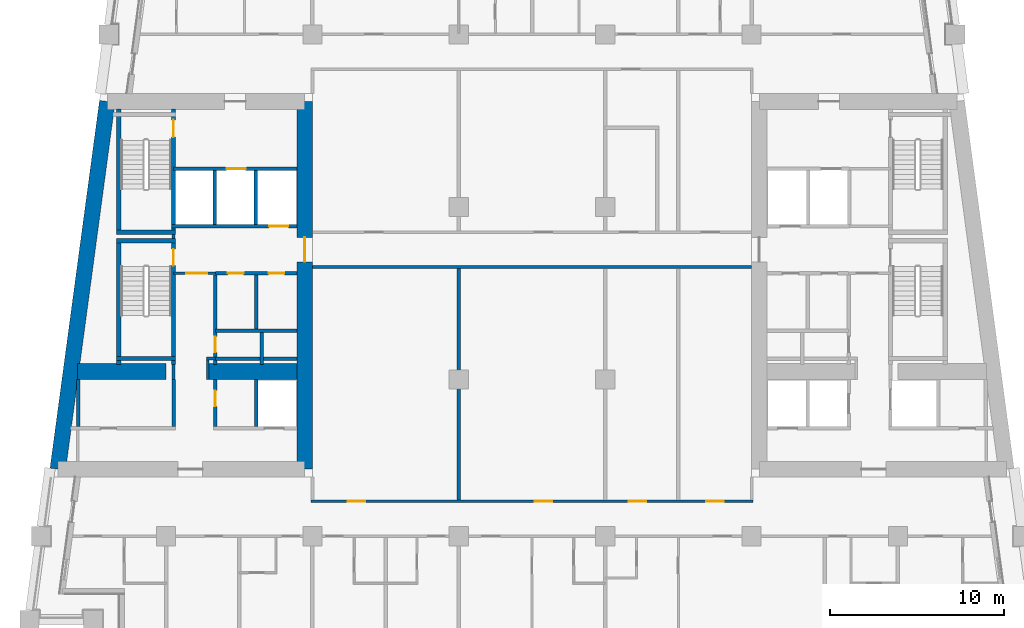
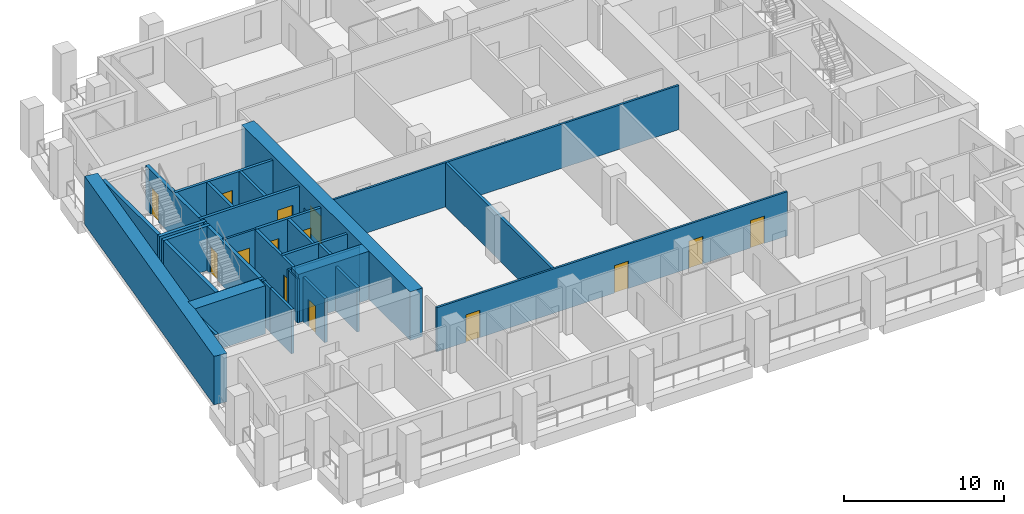
# One storey, part 4 of 13: 33 walls, 14 doors, 14 openings.
"""IFC4 building model written with IfcOpenShell, lengths in metres."""

from ifc_helpers import new_model, si_unit, direction, frame, frame_2d, origin, place, context, subcontext, project, spatial, rectangle, extrude, material, layer, layer_set, type_object, element, fill, save


model = new_model("IFC4")

# Units and contexts
model_context = context("Model", 3, precision=1e-05, world=origin(), true_north=direction((0.0, 1.0)))
body_context = subcontext(model_context, "Body", "Model", "MODEL_VIEW")
ifc_project = project(units=[si_unit("LENGTHUNIT", "METRE"), si_unit("AREAUNIT", "SQUARE_METRE"), si_unit("VOLUMEUNIT", "CUBIC_METRE"), si_unit("PLANEANGLEUNIT", "RADIAN"), si_unit("MASSUNIT", "GRAM", prefix="KILO")], contexts=[model_context])

# Site, building, storey
site_placement = place(None, origin())
site = spatial("IfcSite", under=ifc_project, at=site_placement, CompositionType="ELEMENT")
building_placement = place(site_placement, origin())
building = spatial("IfcBuilding", under=site, at=building_placement, Name="Candeia Pilgrim Tower and Theatre", CompositionType="ELEMENT")
storey_placement = place(building_placement, frame((0.0, 0.0, 155.199951171875)))
storey = spatial("IfcBuildingStorey", under=building, at=storey_placement, Name="L36", CompositionType="ELEMENT", Elevation=155.199951171875)

# Wall, opening, door
ifc_material_1 = material(Name="Concrete C60/75", Category="concrete")
ifc_layer_1 = layer(ifc_material_1, 0.89990234375)
ifc_layer_set_1 = layer_set([ifc_layer_1], Name="Core wall 900 C60/75")
wall_type_1 = type_object("IfcWallType", Name="Core wall 900 C60/75", PredefinedType="SHEAR", material=ifc_layer_set_1)
wall_1_placement = place(storey_placement, frame((100.35009765625, 131.949951171875, 0.0), z_axis=(0.0, 0.0, 1.0), x_axis=(0.0, -1.0, 0.0)))
wall_1 = element("IfcWall", 1, at=wall_1_placement, inside=storey, type_object=wall_type_1, Name="Core wall W2", PredefinedType="SHEAR", context=body_context, shape_type="SweptSolid", body=[
    extrude(rectangle(XDim=21.099853515625, YDim=0.89990234375, at=frame_2d((10.5498046875, 0.0))), origin(), (0.0, 0.0, 1.0), 3.699951171875),
])
opening_1_placement = place(wall_1_placement, frame((7.800048828125, 0.0, 0.0)))
opening_1 = element("IfcOpeningElement", 2, at=opening_1_placement, cuts=wall_1, Name="Opening L36-D057", PredefinedType="OPENING", context=body_context, shape_type="SweptSolid", body=[
    extrude(rectangle(XDim=1.39990234375, YDim=2.10009765625, at=frame_2d((0.699951171875, 1.050048828125))), frame((0.0, 0.4599609375, 0.0), z_axis=(0.0, -1.0, 0.0), x_axis=(1.0, 0.0, 0.0)), (0.0, 0.0, 1.0), 0.919921875),
])
ifc_material_2 = material(Name="Steel fire door set", Category="steel")
door_type_1 = type_object("IfcDoorType", Name="D-1400-FD60", OperationType="NOTDEFINED", PredefinedType="DOOR", material=ifc_material_2)
door_1_placement = place(opening_1_placement, origin())
door_1 = element("IfcDoor", 3, at=door_1_placement, inside=storey, type_object=door_type_1, Name="Door L36-D057", OperationType="SINGLE_SWING_LEFT", OverallHeight=2.10009765625, OverallWidth=1.39990234375, PredefinedType="DOOR", context=body_context, shape_type="SweptSolid", body=[
    extrude(rectangle(XDim=1.39990234375, YDim=2.10009765625, at=frame_2d((0.699951171875, 1.050048828125))), frame((0.0, 0.02490234375, 0.0), z_axis=(0.0, -1.0, 0.0), x_axis=(1.0, 0.0, 0.0)), (0.0, 0.0, 1.0), 0.050048828125),
])
fill(opening_1, door_1)

# Walls
wall_2_placement = place(storey_placement, frame((86.183837890625, 110.85009765625, 0.0), z_axis=(0.0, 0.0, 1.0), x_axis=(0.133410495943, 0.991060865725, 0.0)))
element("IfcWall", 4, at=wall_2_placement, inside=storey, type_object=wall_type_1, Name="Core wall W4", PredefinedType="SHEAR", context=body_context, shape_type="SweptSolid", body=[
    extrude(rectangle(XDim=21.290283203125, YDim=0.89990234375, at=frame_2d((10.64501953125, 0.0))), origin(), (0.0, 0.0, 1.0), 3.699951171875),
])
wall_3_placement = place(storey_placement, frame((87.322998046875, 116.449951171875, 0.0), z_axis=(0.0, 0.0, 1.0), x_axis=(1.0, 0.0, 0.0)))
element("IfcWall", 5, at=wall_3_placement, inside=storey, type_object=wall_type_1, Name="Core wall W5", PredefinedType="SHEAR", context=body_context, shape_type="SweptSolid", body=[
    extrude(rectangle(XDim=5.076904296875, YDim=0.89990234375, at=frame_2d((2.53857421875, 0.0))), origin(), (0.0, 0.0, 1.0), 3.699951171875),
])
wall_4_placement = place(storey_placement, frame((94.800048828125, 116.449951171875, 0.0), z_axis=(0.0, 0.0, 1.0), x_axis=(1.0, 0.0, 0.0)))
element("IfcWall", 6, at=wall_4_placement, inside=storey, type_object=wall_type_1, Name="Core wall W6", PredefinedType="SHEAR", context=body_context, shape_type="SweptSolid", body=[
    extrude(rectangle(XDim=5.099853515625, YDim=0.89990234375, at=frame_2d((2.5498046875, 0.0))), origin(), (0.0, 0.0, 1.0), 3.699951171875),
])
ifc_material_3 = material(Name="Gypsum board partition on steel studs", Category="steel")
ifc_layer_2 = layer(ifc_material_3, 0.14990234375)
ifc_layer_set_2 = layer_set([ifc_layer_2], Name="PW-150 lobby wall")
wall_type_2 = type_object("IfcWallType", Name="PW-150 lobby wall", PredefinedType="PARTITIONING", material=ifc_layer_set_2)
wall_5_placement = place(storey_placement, frame((94.72509765625, 117.199951171875, 0.0), z_axis=(0.0, 0.0, 1.0), x_axis=(1.0, 0.0, 0.0)))
element("IfcWall", 7, at=wall_5_placement, inside=storey, type_object=wall_type_2, Name="Lobby wall L36-016", PredefinedType="PARTITIONING", context=body_context, shape_type="SweptSolid", body=[
    extrude(rectangle(XDim=0.501953125, YDim=0.14990234375, at=frame_2d((0.2509765625, 0.0))), origin(), (0.0, 0.0, 1.0), 3.380126953125),
])

# Wall, opening, door
wall_6_placement = place(storey_placement, frame((92.826904296875, 122.10009765625, 0.0), z_axis=(0.0, 0.0, 1.0), x_axis=(1.0, 0.0, 0.0)))
wall_6 = element("IfcWall", 8, at=wall_6_placement, inside=storey, type_object=wall_type_2, Name="Lobby wall L36-024", PredefinedType="PARTITIONING", context=body_context, shape_type="SweptSolid", body=[
    extrude(rectangle(XDim=2.400146484375, YDim=0.14990234375, at=frame_2d((1.2001953125, 0.0))), origin(), (0.0, 0.0, 1.0), 3.380126953125),
])
opening_2_placement = place(wall_6_placement, frame((0.72509765625, 0.0, 0.0)))
opening_2 = element("IfcOpeningElement", 9, at=opening_2_placement, cuts=wall_6, Name="Opening L36-D001", PredefinedType="OPENING", context=body_context, shape_type="SweptSolid", body=[
    extrude(rectangle(XDim=1.199951171875, YDim=2.10009765625, at=frame_2d((0.60009765625, 1.050048828125))), frame((0.0, 0.0849609375, 0.0), z_axis=(0.0, -1.0, 0.0), x_axis=(1.0, 0.0, 0.0)), (0.0, 0.0, 1.0), 0.169921875),
])
door_type_2 = type_object("IfcDoorType", Name="D-1200-FD60", OperationType="NOTDEFINED", PredefinedType="DOOR", material=ifc_material_2)
door_2_placement = place(opening_2_placement, origin())
door_2 = element("IfcDoor", 10, at=door_2_placement, inside=storey, type_object=door_type_2, Name="Door L36-D001", OperationType="SINGLE_SWING_LEFT", OverallHeight=2.10009765625, OverallWidth=1.199951171875, PredefinedType="DOOR", context=body_context, shape_type="SweptSolid", body=[
    extrude(rectangle(XDim=1.199951171875, YDim=2.10009765625, at=frame_2d((0.60009765625, 1.050048828125))), frame((0.0, 0.02490234375, 0.0), z_axis=(0.0, -1.0, 0.0), x_axis=(1.0, 0.0, 0.0)), (0.0, 0.0, 1.0), 0.050048828125),
])
fill(opening_2, door_2)

# Walls
wall_7_placement = place(storey_placement, frame((92.826904296875, 116.0, 0.0), z_axis=(0.0, 0.0, 1.0), x_axis=(0.0, 1.0, 0.0)))
element("IfcWall", 11, at=wall_7_placement, inside=storey, type_object=wall_type_2, Name="Lobby wall L36-054", PredefinedType="PARTITIONING", context=body_context, shape_type="SweptSolid", body=[
    extrude(rectangle(XDim=0.8701171875, YDim=0.14990234375, at=frame_2d((0.43505859375, 0.0))), origin(), (0.0, 0.0, 1.0), 3.380126953125),
])
wall_8_placement = place(storey_placement, frame((92.826904296875, 124.074951171875, 0.0), z_axis=(0.0, 0.0, 1.0), x_axis=(0.0, 1.0, 0.0)))
element("IfcWall", 12, at=wall_8_placement, inside=storey, type_object=wall_type_2, Name="Lobby wall L36-055", PredefinedType="PARTITIONING", context=body_context, shape_type="SweptSolid", body=[
    extrude(rectangle(XDim=0.25, YDim=0.14990234375, at=frame_2d((0.125, 0.0))), origin(), (0.0, 0.0, 1.0), 3.380126953125),
])
wall_9_placement = place(storey_placement, frame((94.800048828125, 116.0, 0.0), z_axis=(0.0, 0.0, 1.0), x_axis=(0.0, 1.0, 0.0)))
element("IfcWall", 13, at=wall_9_placement, inside=storey, type_object=wall_type_2, Name="Lobby wall L36-059", PredefinedType="PARTITIONING", context=body_context, shape_type="SweptSolid", body=[
    extrude(rectangle(XDim=1.125, YDim=0.14990234375, at=frame_2d((0.5625, 0.0))), origin(), (0.0, 0.0, 1.0), 3.380126953125),
])

# Wall, openings, doors
ifc_layer_3 = layer(ifc_material_3, 0.14990234375)
ifc_layer_set_3 = layer_set([ifc_layer_3], Name="PW-150 unit wall")
wall_type_3 = type_object("IfcWallType", Name="PW-150 unit wall", PredefinedType="PARTITIONING", material=ifc_layer_set_3)
wall_10_placement = place(storey_placement, frame((100.72509765625, 109.0, 0.0), z_axis=(0.0, 0.0, 1.0), x_axis=(1.0, 0.0, 0.0)))
wall_10 = element("IfcWall", 14, at=wall_10_placement, inside=storey, type_object=wall_type_3, Name="Unit wall L36-009", PredefinedType="PARTITIONING", context=body_context, shape_type="SweptSolid", body=[
    extrude(rectangle(XDim=25.349853515625, YDim=0.14990234375, at=frame_2d((12.6748046875, 0.0))), origin(), (0.0, 0.0, 1.0), 3.380126953125),
])
opening_3_placement = place(wall_10_placement, frame((2.10009765625, 0.0, 0.0)))
opening_3 = element("IfcOpeningElement", 15, at=opening_3_placement, cuts=wall_10, Name="Opening L36-D047", PredefinedType="OPENING", context=body_context, shape_type="SweptSolid", body=[
    extrude(rectangle(XDim=1.0, YDim=2.10009765625, at=frame_2d((0.5, 1.050048828125))), frame((0.0, 0.0849609375, 0.0), z_axis=(0.0, -1.0, 0.0), x_axis=(1.0, 0.0, 0.0)), (0.0, 0.0, 1.0), 0.169921875),
])
opening_4_placement = place(wall_10_placement, frame((12.844970703125, 0.0, 0.0)))
opening_4 = element("IfcOpeningElement", 16, at=opening_4_placement, cuts=wall_10, Name="Opening L36-D048", PredefinedType="OPENING", context=body_context, shape_type="SweptSolid", body=[
    extrude(rectangle(XDim=1.0, YDim=2.10009765625, at=frame_2d((0.5, 1.050048828125))), frame((0.0, 0.0849609375, 0.0), z_axis=(0.0, -1.0, 0.0), x_axis=(1.0, 0.0, 0.0)), (0.0, 0.0, 1.0), 0.169921875),
])
opening_5_placement = place(wall_10_placement, frame((18.22509765625, 0.0, 0.0)))
opening_5 = element("IfcOpeningElement", 17, at=opening_5_placement, cuts=wall_10, Name="Opening L36-D049", PredefinedType="OPENING", context=body_context, shape_type="SweptSolid", body=[
    extrude(rectangle(XDim=1.0, YDim=2.10009765625, at=frame_2d((0.5, 1.050048828125))), frame((0.0, 0.0849609375, 0.0), z_axis=(0.0, -1.0, 0.0), x_axis=(1.0, 0.0, 0.0)), (0.0, 0.0, 1.0), 0.169921875),
])
opening_6_placement = place(wall_10_placement, frame((22.675048828125, 0.0, 0.0)))
opening_6 = element("IfcOpeningElement", 18, at=opening_6_placement, cuts=wall_10, Name="Opening L36-D050", PredefinedType="OPENING", context=body_context, shape_type="SweptSolid", body=[
    extrude(rectangle(XDim=1.0, YDim=2.10009765625, at=frame_2d((0.5, 1.050048828125))), frame((0.0, 0.0849609375, 0.0), z_axis=(0.0, -1.0, 0.0), x_axis=(1.0, 0.0, 0.0)), (0.0, 0.0, 1.0), 0.169921875),
])
door_type_3 = type_object("IfcDoorType", Name="D-1000-FD30S", OperationType="NOTDEFINED", PredefinedType="DOOR", material=ifc_material_2)
door_3_placement = place(opening_3_placement, origin())
door_3 = element("IfcDoor", 19, at=door_3_placement, inside=storey, type_object=door_type_3, Name="Door L36-D047", OperationType="SINGLE_SWING_LEFT", OverallHeight=2.10009765625, OverallWidth=1.0, PredefinedType="DOOR", context=body_context, shape_type="SweptSolid", body=[
    extrude(rectangle(XDim=1.0, YDim=2.10009765625, at=frame_2d((0.5, 1.050048828125))), frame((0.0, 0.02490234375, 0.0), z_axis=(0.0, -1.0, 0.0), x_axis=(1.0, 0.0, 0.0)), (0.0, 0.0, 1.0), 0.050048828125),
])
fill(opening_3, door_3)
door_4_placement = place(opening_4_placement, origin())
door_4 = element("IfcDoor", 20, at=door_4_placement, inside=storey, type_object=door_type_3, Name="Door L36-D048", OperationType="SINGLE_SWING_RIGHT", OverallHeight=2.10009765625, OverallWidth=1.0, PredefinedType="DOOR", context=body_context, shape_type="SweptSolid", body=[
    extrude(rectangle(XDim=1.0, YDim=2.10009765625, at=frame_2d((0.5, 1.050048828125))), frame((0.0, 0.02490234375, 0.0), z_axis=(0.0, -1.0, 0.0), x_axis=(1.0, 0.0, 0.0)), (0.0, 0.0, 1.0), 0.050048828125),
])
fill(opening_4, door_4)
door_5_placement = place(opening_5_placement, origin())
door_5 = element("IfcDoor", 21, at=door_5_placement, inside=storey, type_object=door_type_3, Name="Door L36-D049", OperationType="SINGLE_SWING_LEFT", OverallHeight=2.10009765625, OverallWidth=1.0, PredefinedType="DOOR", context=body_context, shape_type="SweptSolid", body=[
    extrude(rectangle(XDim=1.0, YDim=2.10009765625, at=frame_2d((0.5, 1.050048828125))), frame((0.0, 0.02490234375, 0.0), z_axis=(0.0, -1.0, 0.0), x_axis=(1.0, 0.0, 0.0)), (0.0, 0.0, 1.0), 0.050048828125),
])
fill(opening_5, door_5)
door_6_placement = place(opening_6_placement, origin())
door_6 = element("IfcDoor", 22, at=door_6_placement, inside=storey, type_object=door_type_3, Name="Door L36-D050", OperationType="SINGLE_SWING_RIGHT", OverallHeight=2.10009765625, OverallWidth=1.0, PredefinedType="DOOR", context=body_context, shape_type="SweptSolid", body=[
    extrude(rectangle(XDim=1.0, YDim=2.10009765625, at=frame_2d((0.5, 1.050048828125))), frame((0.0, 0.02490234375, 0.0), z_axis=(0.0, -1.0, 0.0), x_axis=(1.0, 0.0, 0.0)), (0.0, 0.0, 1.0), 0.050048828125),
])
fill(opening_6, door_6)

# Walls
wall_11_placement = place(storey_placement, frame((100.800048828125, 122.449951171875, 0.0), z_axis=(0.0, 0.0, 1.0), x_axis=(1.0, 0.0, 0.0)))
element("IfcWall", 23, at=wall_11_placement, inside=storey, type_object=wall_type_3, Name="Unit wall L36-026", PredefinedType="PARTITIONING", context=body_context, shape_type="SweptSolid", body=[
    extrude(rectangle(XDim=25.199951171875, YDim=0.14990234375, at=frame_2d((12.60009765625, 0.0))), origin(), (0.0, 0.0, 1.0), 3.380126953125),
])
ifc_layer_4 = layer(ifc_material_3, 0.199951171875)
ifc_layer_set_4 = layer_set([ifc_layer_4], Name="PW-200 party wall")
wall_type_4 = type_object("IfcWallType", Name="PW-200 party wall", PredefinedType="PARTITIONING", material=ifc_layer_set_4)
wall_12_placement = place(storey_placement, frame((109.199951171875, 109.074951171875, 0.0), z_axis=(0.0, 0.0, 1.0), x_axis=(0.0, 1.0, 0.0)))
element("IfcWall", 24, at=wall_12_placement, inside=storey, type_object=wall_type_4, Name="Party wall L36-079", PredefinedType="PARTITIONING", context=body_context, shape_type="SweptSolid", body=[
    extrude(rectangle(XDim=13.300048828125, YDim=0.199951171875, at=frame_2d((6.64990234375, 0.0))), origin(), (0.0, 0.0, 1.0), 3.380126953125),
])
ifc_material_4 = material(Name="Concrete C40/50", Category="concrete")
ifc_layer_5 = layer(ifc_material_4, 0.199951171875)
ifc_layer_set_5 = layer_set([ifc_layer_5], Name="SW-200 shaft wall")
wall_type_5 = type_object("IfcWallType", Name="SW-200 shaft wall", PredefinedType="PARTITIONING", material=ifc_layer_set_5)
for number, where, z_axis, x_axis, name in (
    (25, (95.22705078125, 117.199951171875, 0.0), (0.0, 0.0, 1.0), (1.0, 0.0, 0.0), "Shaft wall L36-014"),
    (26, (95.22705078125, 118.800048828125, 0.0), (0.0, 0.0, 1.0), (1.0, 0.0, 0.0), "Shaft wall L36-020"),
):
    element("IfcWall", number, at=place(storey_placement, frame(where, z_axis=z_axis, x_axis=x_axis)), inside=storey, type_object=wall_type_5, Name=name, PredefinedType="PARTITIONING", context=body_context, shape_type="SweptSolid", body=[
        extrude(rectangle(XDim=4.6728515625, YDim=0.199951171875, at=frame_2d((2.33642578125, 0.0))), origin(), (0.0, 0.0, 1.0), 3.380126953125),
    ])

# Wall, openings, doors
wall_13_placement = place(storey_placement, frame((95.22705078125, 122.10009765625, 0.0), z_axis=(0.0, 0.0, 1.0), x_axis=(1.0, 0.0, 0.0)))
wall_13 = element("IfcWall", 27, at=wall_13_placement, inside=storey, type_object=wall_type_5, Name="Shaft wall L36-022", PredefinedType="PARTITIONING", context=body_context, shape_type="SweptSolid", body=[
    extrude(rectangle(XDim=4.6728515625, YDim=0.199951171875, at=frame_2d((2.33642578125, 0.0))), origin(), (0.0, 0.0, 1.0), 3.380126953125),
])
opening_7_placement = place(wall_13_placement, frame((0.718017578125, 0.0, 0.0)))
opening_7 = element("IfcOpeningElement", 28, at=opening_7_placement, cuts=wall_13, Name="Opening L36-D002", PredefinedType="OPENING", context=body_context, shape_type="SweptSolid", body=[
    extrude(rectangle(XDim=0.89990234375, YDim=2.10009765625, at=frame_2d((0.449951171875, 1.050048828125))), frame((0.0, 0.10986328125, 0.0), z_axis=(0.0, -1.0, 0.0), x_axis=(1.0, 0.0, 0.0)), (0.0, 0.0, 1.0), 0.219970703125),
])
opening_8_placement = place(wall_13_placement, frame((3.054931640625, 0.0, 0.0)))
opening_8 = element("IfcOpeningElement", 29, at=opening_8_placement, cuts=wall_13, Name="Opening L36-D003", PredefinedType="OPENING", context=body_context, shape_type="SweptSolid", body=[
    extrude(rectangle(XDim=0.89990234375, YDim=2.10009765625, at=frame_2d((0.449951171875, 1.050048828125))), frame((0.0, 0.10986328125, 0.0), z_axis=(0.0, -1.0, 0.0), x_axis=(1.0, 0.0, 0.0)), (0.0, 0.0, 1.0), 0.219970703125),
])
door_type_4 = type_object("IfcDoorType", Name="D-900-FD60", OperationType="NOTDEFINED", PredefinedType="DOOR", material=ifc_material_2)
door_7_placement = place(opening_7_placement, origin())
door_7 = element("IfcDoor", 30, at=door_7_placement, inside=storey, type_object=door_type_4, Name="Door L36-D002", OperationType="SINGLE_SWING_RIGHT", OverallHeight=2.10009765625, OverallWidth=0.89990234375, PredefinedType="DOOR", context=body_context, shape_type="SweptSolid", body=[
    extrude(rectangle(XDim=0.89990234375, YDim=2.10009765625, at=frame_2d((0.449951171875, 1.050048828125))), frame((0.0, 0.02490234375, 0.0), z_axis=(0.0, -1.0, 0.0), x_axis=(1.0, 0.0, 0.0)), (0.0, 0.0, 1.0), 0.050048828125),
])
fill(opening_7, door_7)
door_8_placement = place(opening_8_placement, origin())
door_8 = element("IfcDoor", 31, at=door_8_placement, inside=storey, type_object=door_type_4, Name="Door L36-D003", OperationType="SINGLE_SWING_LEFT", OverallHeight=2.10009765625, OverallWidth=0.89990234375, PredefinedType="DOOR", context=body_context, shape_type="SweptSolid", body=[
    extrude(rectangle(XDim=0.89990234375, YDim=2.10009765625, at=frame_2d((0.449951171875, 1.050048828125))), frame((0.0, 0.02490234375, 0.0), z_axis=(0.0, -1.0, 0.0), x_axis=(1.0, 0.0, 0.0)), (0.0, 0.0, 1.0), 0.050048828125),
])
fill(opening_8, door_8)

# Wall, opening, door
wall_14_placement = place(storey_placement, frame((92.701904296875, 124.800048828125, 0.0), z_axis=(0.0, 0.0, 1.0), x_axis=(1.0, 0.0, 0.0)))
wall_14 = element("IfcWall", 32, at=wall_14_placement, inside=storey, type_object=wall_type_5, Name="Shaft wall L36-032", PredefinedType="PARTITIONING", context=body_context, shape_type="SweptSolid", body=[
    extrude(rectangle(XDim=7.197998046875, YDim=0.199951171875, at=frame_2d((3.59912109375, 0.0))), origin(), (0.0, 0.0, 1.0), 3.380126953125),
])
opening_9_placement = place(wall_14_placement, frame((5.60888671875, 0.0, 0.0)))
opening_9 = element("IfcOpeningElement", 33, at=opening_9_placement, cuts=wall_14, Name="Opening L36-LD02", PredefinedType="OPENING", context=body_context, shape_type="SweptSolid", body=[
    extrude(rectangle(XDim=1.10009765625, YDim=2.10009765625, at=frame_2d((0.550048828125, 1.050048828125))), frame((0.0, 0.10986328125, 0.0), z_axis=(0.0, -1.0, 0.0), x_axis=(1.0, 0.0, 0.0)), (0.0, 0.0, 1.0), 0.219970703125),
])
ifc_material_5 = material(Name="Glazed aluminium landing door", Category="aluminium")
door_type_5 = type_object("IfcDoorType", Name="LD-1100-EI120", OperationType="SLIDING_TO_LEFT", PredefinedType="DOOR", material=ifc_material_5)
door_9_placement = place(opening_9_placement, origin())
door_9 = element("IfcDoor", 34, at=door_9_placement, inside=storey, type_object=door_type_5, Name="Landing door 02 L36", OperationType="SLIDING_TO_LEFT", OverallHeight=2.10009765625, OverallWidth=1.10009765625, PredefinedType="DOOR", context=body_context, shape_type="SweptSolid", body=[
    extrude(rectangle(XDim=1.10009765625, YDim=2.10009765625, at=frame_2d((0.550048828125, 1.050048828125))), frame((0.0, 0.02490234375, 0.0), z_axis=(0.0, -1.0, 0.0), x_axis=(1.0, 0.0, 0.0)), (0.0, 0.0, 1.0), 0.050048828125),
])
fill(opening_9, door_9)

wall_15_placement = place(storey_placement, frame((92.826904296875, 128.10009765625, 0.0), z_axis=(0.0, 0.0, 1.0), x_axis=(1.0, 0.0, 0.0)))
wall_15 = element("IfcWall", 35, at=wall_15_placement, inside=storey, type_object=wall_type_5, Name="Shaft wall L36-035", PredefinedType="PARTITIONING", context=body_context, shape_type="SweptSolid", body=[
    extrude(rectangle(XDim=7.072998046875, YDim=0.199951171875, at=frame_2d((3.53662109375, 0.0))), origin(), (0.0, 0.0, 1.0), 3.380126953125),
])
opening_10_placement = place(wall_15_placement, frame((3.0419921875, 0.0, 0.0)))
opening_10 = element("IfcOpeningElement", 36, at=opening_10_placement, cuts=wall_15, Name="Opening L36-LD01", PredefinedType="OPENING", context=body_context, shape_type="SweptSolid", body=[
    extrude(rectangle(XDim=1.10009765625, YDim=2.10009765625, at=frame_2d((0.550048828125, 1.050048828125))), frame((0.0, 0.10986328125, 0.0), z_axis=(0.0, -1.0, 0.0), x_axis=(1.0, 0.0, 0.0)), (0.0, 0.0, 1.0), 0.219970703125),
])
door_10_placement = place(opening_10_placement, origin())
door_10 = element("IfcDoor", 37, at=door_10_placement, inside=storey, type_object=door_type_5, Name="Landing door 01 L36", OperationType="SLIDING_TO_LEFT", OverallHeight=2.10009765625, OverallWidth=1.10009765625, PredefinedType="DOOR", context=body_context, shape_type="SweptSolid", body=[
    extrude(rectangle(XDim=1.10009765625, YDim=2.10009765625, at=frame_2d((0.550048828125, 1.050048828125))), frame((0.0, 0.02490234375, 0.0), z_axis=(0.0, -1.0, 0.0), x_axis=(1.0, 0.0, 0.0)), (0.0, 0.0, 1.0), 0.050048828125),
])
fill(opening_10, door_10)

# Walls
for number, where, z_axis, x_axis, name in (
    (38, (87.350341796875, 113.300048828125, 0.0), (0.0, 0.0, 1.0), (0.0, 1.0, 0.0), "Shaft wall L36-047"),
    (39, (92.826904296875, 113.300048828125, 0.0), (0.0, 0.0, 1.0), (0.0, 1.0, 0.0), "Shaft wall L36-053"),
):
    element("IfcWall", number, at=place(storey_placement, frame(where, z_axis=z_axis, x_axis=x_axis)), inside=storey, type_object=wall_type_5, Name=name, PredefinedType="PARTITIONING", context=body_context, shape_type="SweptSolid", body=[
        extrude(rectangle(XDim=2.699951171875, YDim=0.199951171875, at=frame_2d((1.35009765625, 0.0))), origin(), (0.0, 0.0, 1.0), 3.380126953125),
    ])
wall_16_placement = place(storey_placement, frame((95.184814453125, 124.89990234375, 0.0), z_axis=(0.0, 0.0, 1.0), x_axis=(0.0, 1.0, 0.0)))
element("IfcWall", 40, at=wall_16_placement, inside=storey, type_object=wall_type_5, Name="Shaft wall L36-060", PredefinedType="PARTITIONING", context=body_context, shape_type="SweptSolid", body=[
    extrude(rectangle(XDim=3.10009765625, YDim=0.199951171875, at=frame_2d((1.550048828125, 0.0))), origin(), (0.0, 0.0, 1.0), 3.380126953125),
])

# Wall, opening, door
wall_17_placement = place(storey_placement, frame((95.22705078125, 113.300048828125, 0.0), z_axis=(0.0, 0.0, 1.0), x_axis=(0.0, 1.0, 0.0)))
wall_17 = element("IfcWall", 41, at=wall_17_placement, inside=storey, type_object=wall_type_5, Name="Shaft wall L36-061", PredefinedType="PARTITIONING", context=body_context, shape_type="SweptSolid", body=[
    extrude(rectangle(XDim=2.699951171875, YDim=0.199951171875, at=frame_2d((1.35009765625, 0.0))), origin(), (0.0, 0.0, 1.0), 3.380126953125),
])
opening_11_placement = place(wall_17_placement, frame((1.14990234375, 0.0, 0.0)))
opening_11 = element("IfcOpeningElement", 42, at=opening_11_placement, cuts=wall_17, Name="Opening L36-D008", PredefinedType="OPENING", context=body_context, shape_type="SweptSolid", body=[
    extrude(rectangle(XDim=0.89990234375, YDim=2.10009765625, at=frame_2d((0.449951171875, 1.050048828125))), frame((0.0, 0.10986328125, 0.0), z_axis=(0.0, -1.0, 0.0), x_axis=(1.0, 0.0, 0.0)), (0.0, 0.0, 1.0), 0.219970703125),
])
door_11_placement = place(opening_11_placement, origin())
door_11 = element("IfcDoor", 43, at=door_11_placement, inside=storey, type_object=door_type_4, Name="Door L36-D008", OperationType="SINGLE_SWING_LEFT", OverallHeight=2.10009765625, OverallWidth=0.89990234375, PredefinedType="DOOR", context=body_context, shape_type="SweptSolid", body=[
    extrude(rectangle(XDim=0.89990234375, YDim=2.10009765625, at=frame_2d((0.449951171875, 1.050048828125))), frame((0.0, 0.02490234375, 0.0), z_axis=(0.0, -1.0, 0.0), x_axis=(1.0, 0.0, 0.0)), (0.0, 0.0, 1.0), 0.050048828125),
])
fill(opening_11, door_11)

wall_18_placement = place(storey_placement, frame((95.22705078125, 116.8701171875, 0.0), z_axis=(0.0, 0.0, 1.0), x_axis=(0.0, 1.0, 0.0)))
wall_18 = element("IfcWall", 44, at=wall_18_placement, inside=storey, type_object=wall_type_5, Name="Shaft wall L36-062", PredefinedType="PARTITIONING", context=body_context, shape_type="SweptSolid", body=[
    extrude(rectangle(XDim=5.1298828125, YDim=0.199951171875, at=frame_2d((2.56494140625, 0.0))), origin(), (0.0, 0.0, 1.0), 3.380126953125),
])
opening_12_placement = place(wall_18_placement, frame((0.679931640625, 0.0, 0.0)))
opening_12 = element("IfcOpeningElement", 45, at=opening_12_placement, cuts=wall_18, Name="Opening L36-D006", PredefinedType="OPENING", context=body_context, shape_type="SweptSolid", body=[
    extrude(rectangle(XDim=0.89990234375, YDim=2.10009765625, at=frame_2d((0.449951171875, 1.050048828125))), frame((0.0, 0.10986328125, 0.0), z_axis=(0.0, -1.0, 0.0), x_axis=(1.0, 0.0, 0.0)), (0.0, 0.0, 1.0), 0.219970703125),
])
door_12_placement = place(opening_12_placement, origin())
door_12 = element("IfcDoor", 46, at=door_12_placement, inside=storey, type_object=door_type_4, Name="Door L36-D006", OperationType="SINGLE_SWING_RIGHT", OverallHeight=2.10009765625, OverallWidth=0.89990234375, PredefinedType="DOOR", context=body_context, shape_type="SweptSolid", body=[
    extrude(rectangle(XDim=0.89990234375, YDim=2.10009765625, at=frame_2d((0.449951171875, 1.050048828125))), frame((0.0, 0.02490234375, 0.0), z_axis=(0.0, -1.0, 0.0), x_axis=(1.0, 0.0, 0.0)), (0.0, 0.0, 1.0), 0.050048828125),
])
fill(opening_12, door_12)

# Walls
wall_19_placement = place(storey_placement, frame((97.542236328125, 124.89990234375, 0.0), z_axis=(0.0, 0.0, 1.0), x_axis=(0.0, 1.0, 0.0)))
element("IfcWall", 47, at=wall_19_placement, inside=storey, type_object=wall_type_5, Name="Shaft wall L36-065", PredefinedType="PARTITIONING", context=body_context, shape_type="SweptSolid", body=[
    extrude(rectangle(XDim=3.10009765625, YDim=0.199951171875, at=frame_2d((1.550048828125, 0.0))), origin(), (0.0, 0.0, 1.0), 3.380126953125),
])
wall_20_placement = place(storey_placement, frame((97.5634765625, 113.300048828125, 0.0), z_axis=(0.0, 0.0, 1.0), x_axis=(0.0, 1.0, 0.0)))
element("IfcWall", 48, at=wall_20_placement, inside=storey, type_object=wall_type_5, Name="Shaft wall L36-066", PredefinedType="PARTITIONING", context=body_context, shape_type="SweptSolid", body=[
    extrude(rectangle(XDim=2.699951171875, YDim=0.199951171875, at=frame_2d((1.35009765625, 0.0))), origin(), (0.0, 0.0, 1.0), 3.380126953125),
])
wall_21_placement = place(storey_placement, frame((97.5634765625, 118.89990234375, 0.0), z_axis=(0.0, 0.0, 1.0), x_axis=(0.0, 1.0, 0.0)))
element("IfcWall", 49, at=wall_21_placement, inside=storey, type_object=wall_type_5, Name="Shaft wall L36-067", PredefinedType="PARTITIONING", context=body_context, shape_type="SweptSolid", body=[
    extrude(rectangle(XDim=3.10009765625, YDim=0.199951171875, at=frame_2d((1.550048828125, 0.0))), origin(), (0.0, 0.0, 1.0), 3.380126953125),
])
wall_22_placement = place(storey_placement, frame((97.89990234375, 116.8701171875, 0.0), z_axis=(0.0, 0.0, 1.0), x_axis=(0.0, 1.0, 0.0)))
element("IfcWall", 50, at=wall_22_placement, inside=storey, type_object=wall_type_5, Name="Shaft wall L36-068", PredefinedType="PARTITIONING", context=body_context, shape_type="SweptSolid", body=[
    extrude(rectangle(XDim=1.829833984375, YDim=0.199951171875, at=frame_2d((0.9150390625, 0.0))), origin(), (0.0, 0.0, 1.0), 3.380126953125),
])
ifc_layer_6 = layer(ifc_material_4, 0.25)
ifc_layer_set_6 = layer_set([ifc_layer_6], Name="SW-250 stair wall")
wall_type_6 = type_object("IfcWallType", Name="SW-250 stair wall", PredefinedType="PARTITIONING", material=ifc_layer_set_6)
for number, where, z_axis, x_axis, name in (
    (51, (89.552001953125, 117.199951171875, 0.0), (0.0, 0.0, 1.0), (1.0, 0.0, 0.0), "Stair wall L36-018"),
    (52, (89.552001953125, 123.949951171875, 0.0), (0.0, 0.0, 1.0), (1.0, 0.0, 0.0), "Stair wall L36-027"),
    (53, (89.552001953125, 124.449951171875, 0.0), (0.0, 0.0, 1.0), (1.0, 0.0, 0.0), "Stair wall L36-029"),
):
    element("IfcWall", number, at=place(storey_placement, frame(where, z_axis=z_axis, x_axis=x_axis)), inside=storey, type_object=wall_type_6, Name=name, PredefinedType="PARTITIONING", context=body_context, shape_type="SweptSolid", body=[
        extrude(rectangle(XDim=3.39990234375, YDim=0.25, at=frame_2d((1.699951171875, 0.0))), origin(), (0.0, 0.0, 1.0), 3.380126953125),
    ])
wall_23_placement = place(storey_placement, frame((89.677001953125, 116.8701171875, 0.0), z_axis=(0.0, 0.0, 1.0), x_axis=(0.0, 1.0, 0.0)))
element("IfcWall", 54, at=wall_23_placement, inside=storey, type_object=wall_type_6, Name="Stair wall L36-049", PredefinedType="PARTITIONING", context=body_context, shape_type="SweptSolid", body=[
    extrude(rectangle(XDim=6.954833984375, YDim=0.25, at=frame_2d((3.4775390625, 0.0))), origin(), (0.0, 0.0, 1.0), 3.380126953125),
])
wall_24_placement = place(storey_placement, frame((89.677001953125, 124.574951171875, 0.0), z_axis=(0.0, 0.0, 1.0), x_axis=(0.0, 1.0, 0.0)))
element("IfcWall", 55, at=wall_24_placement, inside=storey, type_object=wall_type_6, Name="Stair wall L36-050", PredefinedType="PARTITIONING", context=body_context, shape_type="SweptSolid", body=[
    extrude(rectangle(XDim=6.955078125, YDim=0.25, at=frame_2d((3.4775390625, 0.0))), origin(), (0.0, 0.0, 1.0), 3.380126953125),
])

# Wall, opening, door
wall_25_placement = place(storey_placement, frame((92.826904296875, 116.8701171875, 0.0), z_axis=(0.0, 0.0, 1.0), x_axis=(0.0, 1.0, 0.0)))
wall_25 = element("IfcWall", 56, at=wall_25_placement, inside=storey, type_object=wall_type_6, Name="Stair wall L36-056", PredefinedType="PARTITIONING", context=body_context, shape_type="SweptSolid", body=[
    extrude(rectangle(XDim=6.954833984375, YDim=0.25, at=frame_2d((3.4775390625, 0.0))), origin(), (0.0, 0.0, 1.0), 3.380126953125),
])
opening_13_placement = place(wall_25_placement, frame((5.655029296875, 0.0, 0.0)))
opening_13 = element("IfcOpeningElement", 57, at=opening_13_placement, cuts=wall_25, Name="Opening L36-D004", PredefinedType="OPENING", context=body_context, shape_type="SweptSolid", body=[
    extrude(rectangle(XDim=0.949951171875, YDim=2.10009765625, at=frame_2d((0.47509765625, 1.050048828125))), frame((0.0, 0.135009765625, 0.0), z_axis=(0.0, -1.0, 0.0), x_axis=(1.0, 0.0, 0.0)), (0.0, 0.0, 1.0), 0.27001953125),
])
door_type_6 = type_object("IfcDoorType", Name="D-950-FD60", OperationType="NOTDEFINED", PredefinedType="DOOR", material=ifc_material_2)
door_13_placement = place(opening_13_placement, origin())
door_13 = element("IfcDoor", 58, at=door_13_placement, inside=storey, type_object=door_type_6, Name="Door L36-D004", OperationType="SINGLE_SWING_RIGHT", OverallHeight=2.10009765625, OverallWidth=0.949951171875, PredefinedType="DOOR", context=body_context, shape_type="SweptSolid", body=[
    extrude(rectangle(XDim=0.949951171875, YDim=2.10009765625, at=frame_2d((0.47509765625, 1.050048828125))), frame((0.0, 0.02490234375, 0.0), z_axis=(0.0, -1.0, 0.0), x_axis=(1.0, 0.0, 0.0)), (0.0, 0.0, 1.0), 0.050048828125),
])
fill(opening_13, door_13)

wall_26_placement = place(storey_placement, frame((92.826904296875, 124.574951171875, 0.0), z_axis=(0.0, 0.0, 1.0), x_axis=(0.0, 1.0, 0.0)))
wall_26 = element("IfcWall", 59, at=wall_26_placement, inside=storey, type_object=wall_type_6, Name="Stair wall L36-057", PredefinedType="PARTITIONING", context=body_context, shape_type="SweptSolid", body=[
    extrude(rectangle(XDim=6.955078125, YDim=0.25, at=frame_2d((3.4775390625, 0.0))), origin(), (0.0, 0.0, 1.0), 3.380126953125),
])
opening_14_placement = place(wall_26_placement, frame((5.324951171875, 0.0, 0.0)))
opening_14 = element("IfcOpeningElement", 60, at=opening_14_placement, cuts=wall_26, Name="Opening L36-D005", PredefinedType="OPENING", context=body_context, shape_type="SweptSolid", body=[
    extrude(rectangle(XDim=1.0, YDim=2.10009765625, at=frame_2d((0.5, 1.050048828125))), frame((0.0, 0.135009765625, 0.0), z_axis=(0.0, -1.0, 0.0), x_axis=(1.0, 0.0, 0.0)), (0.0, 0.0, 1.0), 0.27001953125),
])
door_type_7 = type_object("IfcDoorType", Name="D-1000-FD60", OperationType="NOTDEFINED", PredefinedType="DOOR", material=ifc_material_2)
door_14_placement = place(opening_14_placement, origin())
door_14 = element("IfcDoor", 61, at=door_14_placement, inside=storey, type_object=door_type_7, Name="Door L36-D005", OperationType="SINGLE_SWING_LEFT", OverallHeight=2.10009765625, OverallWidth=1.0, PredefinedType="DOOR", context=body_context, shape_type="SweptSolid", body=[
    extrude(rectangle(XDim=1.0, YDim=2.10009765625, at=frame_2d((0.5, 1.050048828125))), frame((0.0, 0.02490234375, 0.0), z_axis=(0.0, -1.0, 0.0), x_axis=(1.0, 0.0, 0.0)), (0.0, 0.0, 1.0), 0.050048828125),
])
fill(opening_14, door_14)

save(model, "model.ifc")
